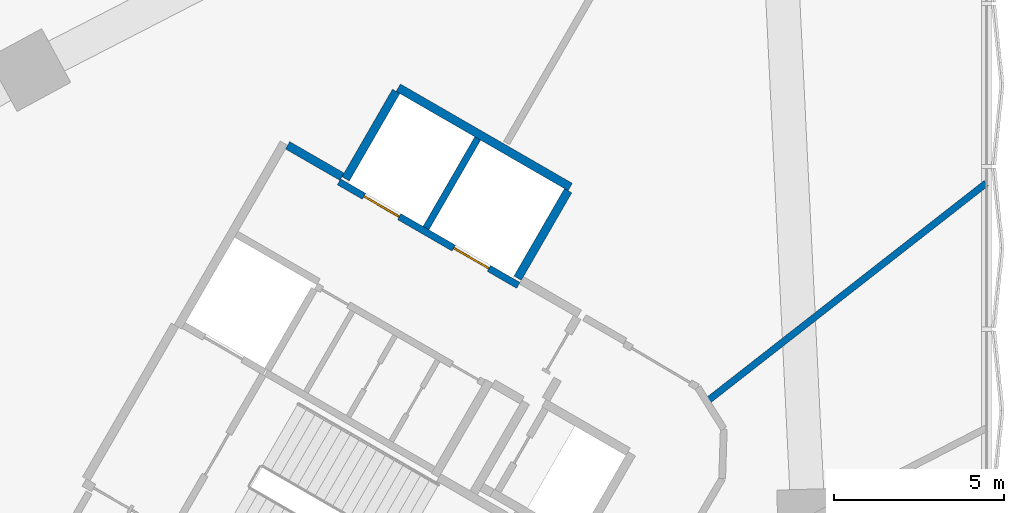
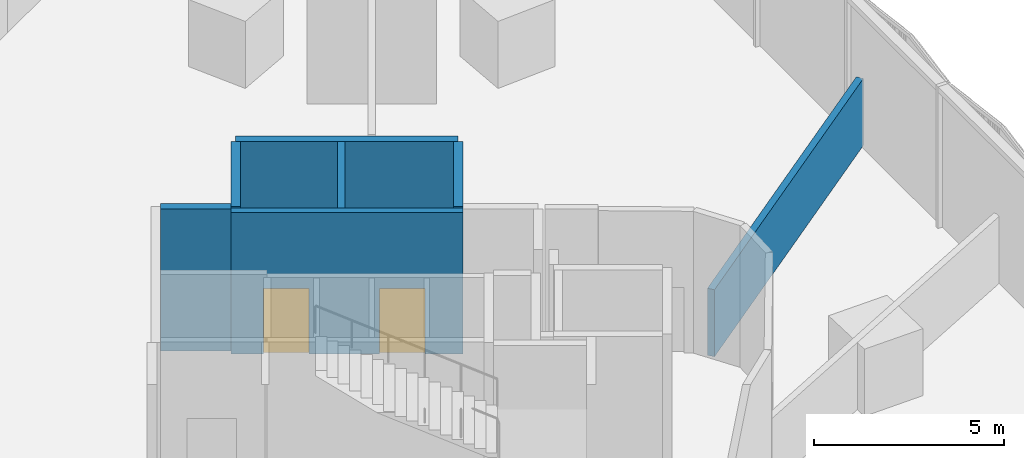
# One storey, part 16 of 24: 7 walls, 2 doors, 2 openings.
"""IFC4 building model written with IfcOpenShell, lengths in metres."""

from ifc_helpers import new_model, si_unit, direction, frame, frame_2d, origin, place, context, subcontext, project, spatial, rectangle, extrude, material, layer, layer_set, type_object, element, fill, save


model = new_model("IFC4")

# Units and contexts
model_context = context("Model", 3, precision=1e-05, world=origin(), true_north=direction((0.0, 1.0)))
body_context = subcontext(model_context, "Body", "Model", "MODEL_VIEW")
ifc_project = project(units=[si_unit("LENGTHUNIT", "METRE"), si_unit("AREAUNIT", "SQUARE_METRE"), si_unit("VOLUMEUNIT", "CUBIC_METRE"), si_unit("PLANEANGLEUNIT", "RADIAN"), si_unit("MASSUNIT", "GRAM", prefix="KILO")], contexts=[model_context])

# Site, building, storey
site_placement = place(None, origin())
site = spatial("IfcSite", under=ifc_project, at=site_placement, CompositionType="ELEMENT")
building_placement = place(site_placement, origin())
building = spatial("IfcBuilding", under=site, at=building_placement, Name="Tamra Quay Hotel Tower", CompositionType="ELEMENT")
storey_placement = place(building_placement, frame((0.0, 0.0, 19.5)))
storey = spatial("IfcBuildingStorey", under=building, at=storey_placement, Name="L03", CompositionType="ELEMENT", Elevation=19.5)

# Wall, openings, doors
ifc_material_1 = material(Name="Concrete M70", Category="concrete")
ifc_layer_1 = layer(ifc_material_1, 0.199951171875)
ifc_layer_set_1 = layer_set([ifc_layer_1], Name="Concrete M70 core wall 200")
wall_type_1 = type_object("IfcWallType", Name="Concrete M70 core wall 200", PredefinedType="SHEAR", material=ifc_layer_set_1)
wall_1_placement = place(storey_placement, frame((13.209716796875, 18.07958984375, 0.0), z_axis=(0.0, 0.0, 1.0), x_axis=(-0.866030299012, 0.499991521122, 0.0)))
wall_1 = element("IfcWall", 1, at=wall_1_placement, inside=storey, type_object=wall_type_1, Name="CW2", PredefinedType="SHEAR", context=body_context, shape_type="SweptSolid", body=[
    extrude(rectangle(XDim=6.10009765625, YDim=0.199951171875, at=frame_2d((3.050048828125, 0.0))), origin(), (0.0, 0.0, 1.0), 4.550048828125),
])
opening_1_placement = place(wall_1_placement, frame((1.0, 0.0, 0.0)))
opening_1 = element("IfcOpeningElement", 2, at=opening_1_placement, cuts=wall_1, Name="Opening LD", PredefinedType="OPENING", context=body_context, shape_type="SweptSolid", body=[
    extrude(rectangle(XDim=1.199951171875, YDim=2.10009765625, at=frame_2d((0.60009765625, 1.050048828125))), frame((0.0, 0.10986328125, 0.0), z_axis=(0.0, -1.0, 0.0), x_axis=(1.0, 0.0, 0.0)), (0.0, 0.0, 1.0), 0.219970703125),
])
opening_2_placement = place(wall_1_placement, frame((4.05029296875, 0.0, 0.0)))
opening_2 = element("IfcOpeningElement", 3, at=opening_2_placement, cuts=wall_1, Name="Opening LD", PredefinedType="OPENING", context=body_context, shape_type="SweptSolid", body=[
    extrude(rectangle(XDim=1.199951171875, YDim=2.10009765625, at=frame_2d((0.60009765625, 1.050048828125))), frame((0.0, 0.10986328125, 0.0), z_axis=(0.0, -1.0, 0.0), x_axis=(1.0, 0.0, 0.0)), (0.0, 0.0, 1.0), 0.219970703125),
])
ifc_material_2 = material(Name="Landing door LD 1200 double door sliding")
door_type = type_object("IfcDoorType", Name="Landing door LD 1200 double door sliding", OperationType="DOUBLE_DOOR_SLIDING", PredefinedType="DOOR", material=ifc_material_2)
door_1_placement = place(opening_1_placement, origin())
door_1 = element("IfcDoor", 4, at=door_1_placement, inside=storey, type_object=door_type, Name="LD", OperationType="DOUBLE_DOOR_SLIDING", OverallHeight=2.10009765625, OverallWidth=1.199951171875, PredefinedType="DOOR", context=body_context, shape_type="SweptSolid", body=[
    extrude(rectangle(XDim=1.199951171875, YDim=2.10009765625, at=frame_2d((0.60009765625, 1.050048828125))), frame((0.0, 0.02490234375, 0.0), z_axis=(0.0, -1.0, 0.0), x_axis=(1.0, 0.0, 0.0)), (0.0, 0.0, 1.0), 0.050048828125),
])
fill(opening_1, door_1)
door_2_placement = place(opening_2_placement, origin())
door_2 = element("IfcDoor", 5, at=door_2_placement, inside=storey, type_object=door_type, Name="LD", OperationType="DOUBLE_DOOR_SLIDING", OverallHeight=2.10009765625, OverallWidth=1.199951171875, PredefinedType="DOOR", context=body_context, shape_type="SweptSolid", body=[
    extrude(rectangle(XDim=1.199951171875, YDim=2.10009765625, at=frame_2d((0.60009765625, 1.050048828125))), frame((0.0, 0.02490234375, 0.0), z_axis=(0.0, -1.0, 0.0), x_axis=(1.0, 0.0, 0.0)), (0.0, 0.0, 1.0), 0.050048828125),
])
fill(opening_2, door_2)

# Walls
wall_2_placement = place(storey_placement, frame((10.48876953125, 19.76708984375, 0.0), z_axis=(0.0, 0.0, 1.0), x_axis=(0.499946628782, 0.866056215479, 0.0)))
element("IfcWall", 6, at=wall_2_placement, inside=storey, type_object=wall_type_1, Name="CW2", PredefinedType="SHEAR", context=body_context, shape_type="SweptSolid", body=[
    extrude(rectangle(XDim=3.048095703125, YDim=0.199951171875, at=frame_2d((1.52392578125, 0.0))), origin(), (0.0, 0.0, 1.0), 4.550048828125),
])
ifc_layer_2 = layer(ifc_material_1, 0.25)
ifc_layer_set_2 = layer_set([ifc_layer_2], Name="Concrete M70 core wall 250")
wall_type_2 = type_object("IfcWallType", Name="Concrete M70 core wall 250", PredefinedType="SHEAR", material=ifc_layer_set_2)
wall_3_placement = place(storey_placement, frame((9.672607421875, 23.9033203125, 0.0), z_axis=(0.0, 0.0, 1.0), x_axis=(0.86603616409, -0.499981362141, 0.0)))
element("IfcWall", 7, at=wall_3_placement, inside=storey, type_object=wall_type_2, Name="CW1", PredefinedType="SHEAR", context=body_context, shape_type="SweptSolid", body=[
    extrude(rectangle(XDim=5.849853515625, YDim=0.25, at=frame_2d((2.9248046875, 0.0))), origin(), (0.0, 0.0, 1.0), 4.550048828125),
])
for number, where, z_axis, x_axis, name in (
    (8, (8.12255859375, 21.21875, 0.0), (0.0, 0.0, 1.0), (0.499987686533, 0.866032512851, 0.0), "CW1"),
    (9, (14.67626953125, 20.869873046875, 0.0), (0.0, 0.0, 1.0), (-0.499987686533, -0.866032512851, 0.0), "CW1"),
):
    element("IfcWall", number, at=place(storey_placement, frame(where, z_axis=z_axis, x_axis=x_axis)), inside=storey, type_object=wall_type_2, Name=name, PredefinedType="SHEAR", context=body_context, shape_type="SweptSolid", body=[
        extrude(rectangle(XDim=2.974609375, YDim=0.25, at=frame_2d((1.4873046875, 0.0))), origin(), (0.0, 0.0, 1.0), 4.550048828125),
    ])
wall_4_placement = place(storey_placement, frame((6.41259765625, 22.2060546875, 0.0), z_axis=(0.0, 0.0, 1.0), x_axis=(0.866016279763, -0.500015802937, 0.0)))
element("IfcWall", 10, at=wall_4_placement, inside=storey, type_object=wall_type_2, Name="CW1", PredefinedType="SHEAR", context=body_context, shape_type="SweptSolid", body=[
    extrude(rectangle(XDim=1.84912109375, YDim=0.25, at=frame_2d((0.924560546875, 0.0))), origin(), (0.0, 0.0, 1.0), 4.550048828125),
])
ifc_material_3 = material(Name="Partition party wall")
ifc_layer_3 = layer(ifc_material_3, 0.199951171875)
ifc_layer_set_3 = layer_set([ifc_layer_3], Name="Partition party wall")
wall_type_3 = type_object("IfcWallType", Name="Partition party wall", PredefinedType="PARTITIONING", material=ifc_layer_set_3)
wall_5_placement = place(storey_placement, frame((18.759033203125, 14.656005859375, 0.0), z_axis=(0.0, 0.0, 1.0), x_axis=(0.787985777089, 0.615693442474, 0.0)))
element("IfcWall", 11, at=wall_5_placement, inside=storey, type_object=wall_type_3, Name="W-P", PredefinedType="PARTITIONING", context=body_context, shape_type="SweptSolid", body=[
    extrude(rectangle(XDim=10.453369140625, YDim=0.199951171875, at=frame_2d((5.2265625, 0.0))), origin(), (0.0, 0.0, 1.0), 2.14990234375),
])

save(model, "model.ifc")
